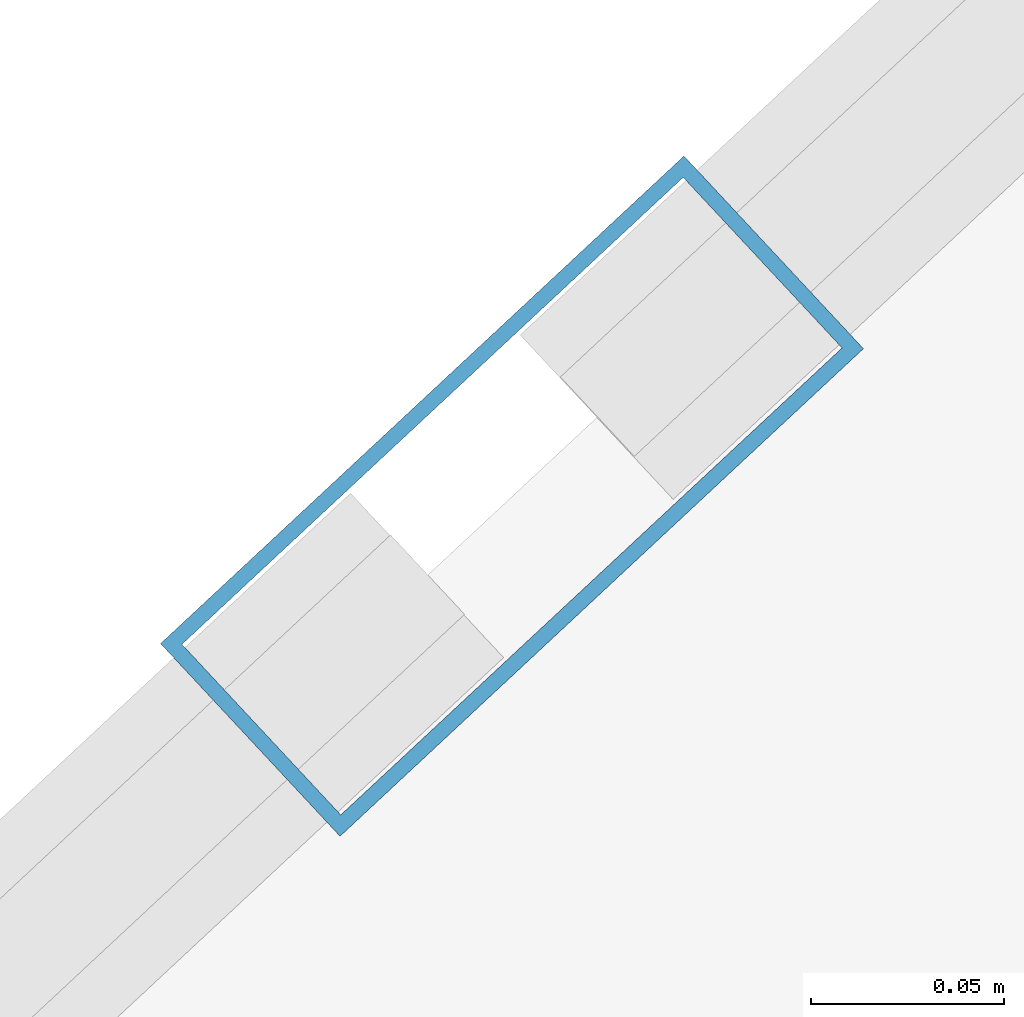
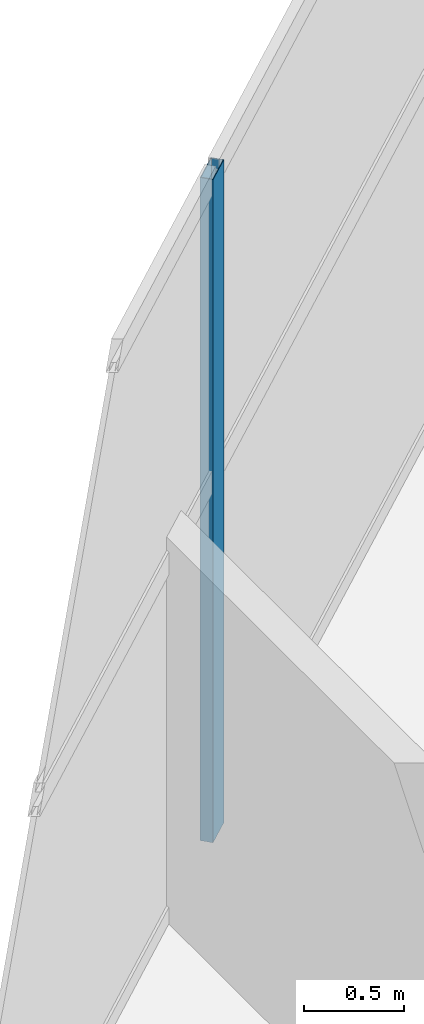
# One storey, part 12 of 27: 1 member, 1 element without a shape of its own.
"""IFC4 building model written with IfcOpenShell, lengths in metres."""

from ifc_helpers import new_model, si_unit, direction, frame, origin, origin_2d, place, context, subcontext, project, spatial, hollow_rectangle, extrude, material, layer, layer_set, material_profile, profile_set, type_object, element, aggregate, save


model = new_model("IFC4")

# Units and contexts
model_context = context("Model", 3, precision=1e-05, world=origin(), true_north=direction((0.0, 1.0)))
body_context = subcontext(model_context, "Body", "Model", "MODEL_VIEW")
ifc_project = project(units=[si_unit("LENGTHUNIT", "METRE"), si_unit("AREAUNIT", "SQUARE_METRE"), si_unit("VOLUMEUNIT", "CUBIC_METRE"), si_unit("PLANEANGLEUNIT", "RADIAN"), si_unit("MASSUNIT", "GRAM", prefix="KILO")], contexts=[model_context])

# Site, building, storey
site_placement = place(None, origin())
site = spatial("IfcSite", under=ifc_project, at=site_placement, CompositionType="ELEMENT")
building_placement = place(site_placement, origin())
building = spatial("IfcBuilding", under=site, at=building_placement, Name="Calvorn Quay Hotel", CompositionType="ELEMENT")
storey_placement = place(building_placement, frame((0.0, 0.0, 239.300048828125)))
storey = spatial("IfcBuildingStorey", under=building, at=storey_placement, Name="L59", CompositionType="ELEMENT", Elevation=239.300048828125)

# Curtain wall, member
ifc_material_1 = material(Name="Champagne Bronze Anodised Aluminium and Low-E Glass", Category="aluminium")
ifc_layer = layer(ifc_material_1, 0.219970703125)
ifc_layer_set = layer_set([ifc_layer], Name="CW-SYS-Z3")
curtain_wall_type = type_object("IfcCurtainWallType", Name="CW-SYS-Z3", PredefinedType="NOTDEFINED", material=ifc_layer_set)
curtain_wall_placement = place(storey_placement, origin())
curtain_wall = element("IfcCurtainWall", 1, at=curtain_wall_placement, inside=storey, type_object=curtain_wall_type, Name="Inner Court Curtain Wall L59-NE1", PredefinedType="NOTDEFINED")
ifc_material_2 = material(Name="Champagne Bronze Anodised Aluminium 6063-T6", Category="aluminium")
ifc_material_profile = material_profile(ifc_material_2, hollow_rectangle(XDim=0.068115234375, YDim=0.18505859375, WallThickness=0.00390625, at=origin_2d()), Name="ALU-M185x68x4")
ifc_profile_set = profile_set([ifc_material_profile], Name="Champagne Bronze Anodised Aluminium 6063-T6")
member_type = type_object("IfcMemberType", Name="CW-SYS-Z3-MUL", PredefinedType="MULLION", material=ifc_profile_set)
member_placement = place(storey_placement, frame((28.89990234375, 31.199951171875, 0.0), z_axis=(0.0, 0.0, 1.0), x_axis=(0.681603655102, -0.731721570922, 0.0)))
member = element("IfcMember", 2, at=member_placement, type_object=member_type, Name="CW-L59-NE1 mullion 2", PredefinedType="MULLION", context=body_context, shape_type="SweptSolid", body=[
    extrude(hollow_rectangle(XDim=0.068115234375, YDim=0.18505859375, WallThickness=0.00390625, at=origin_2d()), origin(), (0.0, 0.0, 1.0), 4.050048828125),
])
aggregate(curtain_wall, [member])

save(model, "model.ifc")
